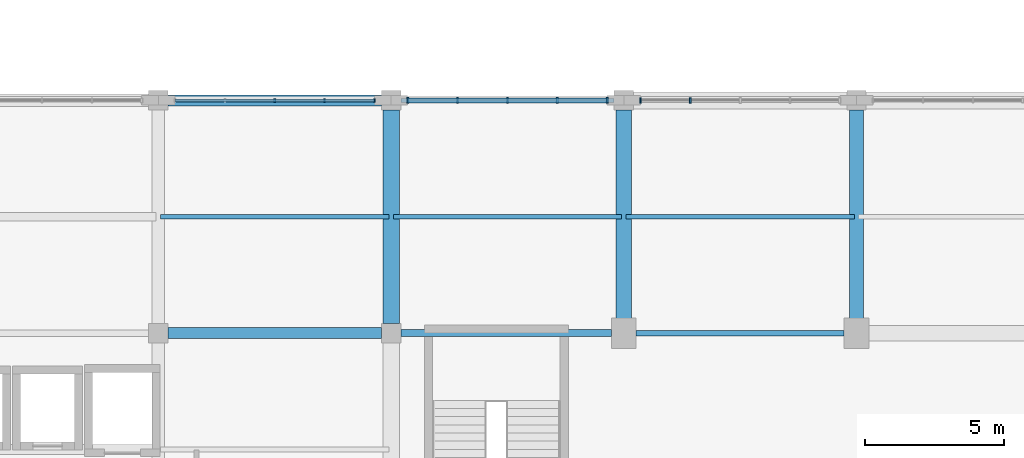
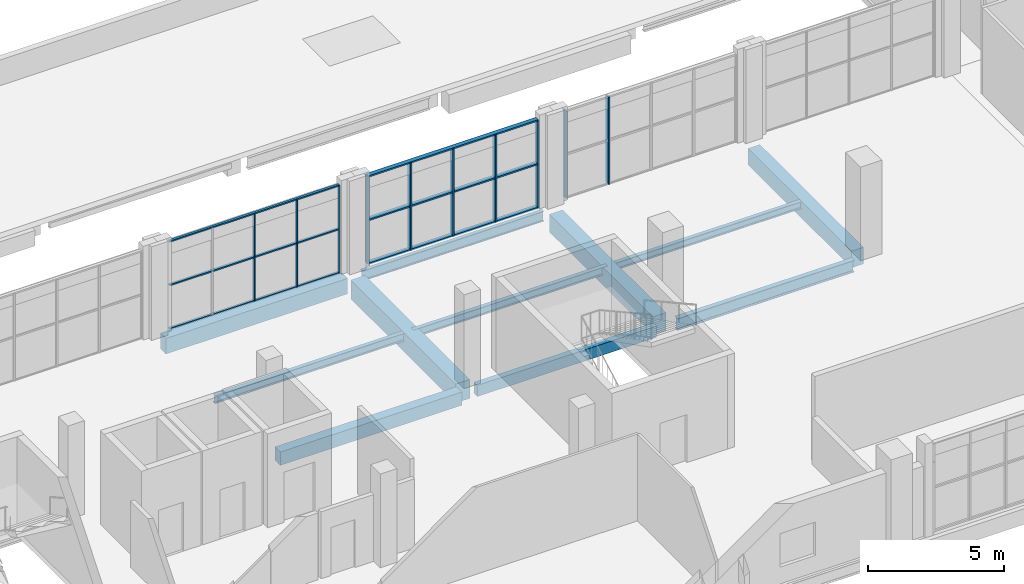
# One storey, part 24 of 64: 16 members, 11 beams, 3 elements without a shape of their own.
"""IFC4 building model written with IfcOpenShell, lengths in metres."""

from ifc_helpers import new_model, si_unit, derived_unit, direction, frame, origin, origin_2d, place, context, subcontext, project, spatial, rectangle, i_section, extrude, material, material_profile, profile_set, type_object, element, aggregate, save


model = new_model("IFC4")

# Units and contexts
model_context = context("Model", 3, precision=1e-05, world=origin(), true_north=direction((0.0, 1.0)))
body_context = subcontext(model_context, "Body", "Model", "MODEL_VIEW")
ifc_project = project(units=[si_unit("LENGTHUNIT", "METRE"), si_unit("AREAUNIT", "SQUARE_METRE"), si_unit("VOLUMEUNIT", "CUBIC_METRE"), si_unit("PLANEANGLEUNIT", "RADIAN"), si_unit("MASSUNIT", "GRAM", prefix="KILO"), derived_unit("THERMALTRANSMITTANCEUNIT", [(si_unit("POWERUNIT", "WATT"), 1), (si_unit("LENGTHUNIT", "METRE"), -2), (si_unit("THERMODYNAMICTEMPERATUREUNIT", "KELVIN"), -1)])], contexts=[model_context])

# Site, building, storey
site_placement = place(None, origin())
site = spatial("IfcSite", under=ifc_project, at=site_placement, CompositionType="ELEMENT")
building_placement = place(site_placement, origin())
building = spatial("IfcBuilding", under=site, at=building_placement, Name="Barrovel Congress Hotel", CompositionType="ELEMENT")
storey_placement = place(building_placement, frame((0.0, 0.0, 14.10009765625)))
storey = spatial("IfcBuildingStorey", under=building, at=storey_placement, Name="L03", CompositionType="ELEMENT", Elevation=14.10009765625)

# Beams
ifc_material_1 = material(Name="Concrete C40", Category="concrete")
ifc_material_profile_1 = material_profile(ifc_material_1, rectangle(XDim=0.25, YDim=0.5, at=origin_2d()), Name="RC250x500")
ifc_profile_set_1 = profile_set([ifc_material_profile_1], Name="Concrete C40")
beam_type_1 = type_object("IfcBeamType", Name="BM-RC250x500", PredefinedType="SPANDREL", material=ifc_profile_set_1)
beam_1_placement = place(storey_placement, frame((101.14990234375, 21.0, -0.489990234375), z_axis=(1.0, 0.0, 0.0), x_axis=(0.0, 1.0, 0.0)))
element("IfcBeam", 1, at=beam_1_placement, inside=storey, type_object=beam_type_1, Name="BMX:L03:21.0:100.8-109.2", PredefinedType="SPANDREL", context=body_context, shape_type="SweptSolid", body=[
    extrude(rectangle(XDim=0.25, YDim=0.5, at=origin_2d()), origin(), (0.0, 0.0, 1.0), 7.60009765625),
])
ifc_material_profile_2 = material_profile(ifc_material_1, rectangle(XDim=0.39990234375, YDim=0.60009765625, at=origin_2d()), Name="RC400x600")
ifc_profile_set_2 = profile_set([ifc_material_profile_2], Name="Concrete C40")
beam_type_2 = type_object("IfcBeamType", Name="BM-RC400x600", PredefinedType="BEAM", material=ifc_profile_set_2)
beam_2_placement = place(storey_placement, frame((92.75, 21.0, -0.5400390625), z_axis=(1.0, 0.0, 0.0), x_axis=(0.0, 1.0, 0.0)))
element("IfcBeam", 2, at=beam_2_placement, inside=storey, type_object=beam_type_2, Name="BMX:L03:21.0:92.4-100.8", PredefinedType="BEAM", context=body_context, shape_type="SweptSolid", body=[
    extrude(rectangle(XDim=0.39990234375, YDim=0.60009765625, at=origin_2d()), origin(), (0.0, 0.0, 1.0), 7.699951171875),
])
ifc_material_profile_3 = material_profile(ifc_material_1, rectangle(XDim=0.39990234375, YDim=0.699951171875, at=origin_2d()), Name="RC400x700")
ifc_profile_set_3 = profile_set([ifc_material_profile_3], Name="Concrete C40")
beam_type_3 = type_object("IfcBeamType", Name="BM-RC400x700", PredefinedType="BEAM", material=ifc_profile_set_3)
beam_3_placement = place(storey_placement, frame((92.75, 29.39990234375, -0.590087890625), z_axis=(1.0, 0.0, 0.0), x_axis=(0.0, 1.0, 0.0)))
element("IfcBeam", 3, at=beam_3_placement, inside=storey, type_object=beam_type_3, Name="BMX:L03:29.4:92.4-100.8", PredefinedType="BEAM", context=body_context, shape_type="SweptSolid", body=[
    extrude(rectangle(XDim=0.39990234375, YDim=0.699951171875, at=origin_2d()), origin(), (0.0, 0.0, 1.0), 7.699951171875),
])
ifc_material_profile_4 = material_profile(ifc_material_1, rectangle(XDim=0.5, YDim=0.75, at=origin_2d()), Name="RC500x750")
ifc_profile_set_4 = profile_set([ifc_material_profile_4], Name="Concrete C40")
beam_type_4 = type_object("IfcBeamType", Name="BM-RC500x750", PredefinedType="BEAM", material=ifc_profile_set_4)
beam_4_placement = place(storey_placement, frame((117.60009765625, 21.449951171875, -0.614990234375), z_axis=(0.0, 1.0, 0.0), x_axis=(-1.0, 0.0, 0.0)))
element("IfcBeam", 4, at=beam_4_placement, inside=storey, type_object=beam_type_4, Name="BMY:L03:117.6:21.0-29.4", PredefinedType="BEAM", context=body_context, shape_type="SweptSolid", body=[
    extrude(rectangle(XDim=0.5, YDim=0.75, at=origin_2d()), origin(), (0.0, 0.0, 1.0), 7.60009765625),
])
ifc_material_profile_5 = material_profile(ifc_material_1, rectangle(XDim=0.550048828125, YDim=0.800048828125, at=origin_2d()), Name="RC550x800")
ifc_profile_set_5 = profile_set([ifc_material_profile_5], Name="Concrete C40")
beam_type_5 = type_object("IfcBeamType", Name="BM-RC550x800", PredefinedType="BEAM", material=ifc_profile_set_5)
beam_5_placement = place(storey_placement, frame((109.199951171875, 21.449951171875, -0.64013671875), z_axis=(0.0, 1.0, 0.0), x_axis=(-1.0, 0.0, 0.0)))
element("IfcBeam", 5, at=beam_5_placement, inside=storey, type_object=beam_type_5, Name="BMY:L03:109.2:21.0-29.4", PredefinedType="BEAM", context=body_context, shape_type="SweptSolid", body=[
    extrude(rectangle(XDim=0.550048828125, YDim=0.800048828125, at=origin_2d()), origin(), (0.0, 0.0, 1.0), 7.60009765625),
])
ifc_material_profile_6 = material_profile(ifc_material_1, rectangle(XDim=0.60009765625, YDim=0.85009765625, at=origin_2d()), Name="RC600x850")
ifc_profile_set_6 = profile_set([ifc_material_profile_6], Name="Concrete C40")
beam_type_6 = type_object("IfcBeamType", Name="BM-RC600x850", PredefinedType="BEAM", material=ifc_profile_set_6)
beam_6_placement = place(storey_placement, frame((100.800048828125, 21.35009765625, -0.6650390625), z_axis=(0.0, 1.0, 0.0), x_axis=(-1.0, 0.0, 0.0)))
element("IfcBeam", 6, at=beam_6_placement, inside=storey, type_object=beam_type_6, Name="BMY:L03:100.8:21.0-29.4", PredefinedType="BEAM", context=body_context, shape_type="SweptSolid", body=[
    extrude(rectangle(XDim=0.60009765625, YDim=0.85009765625, at=origin_2d()), origin(), (0.0, 0.0, 1.0), 7.699951171875),
])

# Curtain wall, members
ifc_material_2 = material(Name="Anodised Aluminium Alloy 6063-T6", Category="aluminium")
curtain_wall_type = type_object("IfcCurtainWallType", Name="CW-ST-7200x3600", PredefinedType="USERDEFINED", material=ifc_material_2)
curtain_wall_1_placement = place(storey_placement, origin())
curtain_wall_1 = element("IfcCurtainWall", 7, at=curtain_wall_1_placement, inside=storey, type_object=curtain_wall_type, Name="CW:L03:CS:11", ObjectType="STICK CURTAIN WALL", PredefinedType="USERDEFINED")
ifc_material_profile_7 = material_profile(ifc_material_2, rectangle(XDim=0.06005859375, YDim=0.139892578125, at=origin_2d()), Name="AL-M60x140")
ifc_profile_set_7 = profile_set([ifc_material_profile_7], Name="Anodised Aluminium Alloy 6063-T6")
member_type_1 = type_object("IfcMemberType", Name="CWM-AL-M60x140", PredefinedType="MULLION", material=ifc_profile_set_7)
member_1_placement = place(storey_placement, frame((100.199951171875, 29.39990234375, 0.0), z_axis=(0.0, 0.0, 1.0), x_axis=(1.0, 0.0, 0.0)))
member_1 = element("IfcMember", 8, at=member_1_placement, type_object=member_type_1, Name="CW:L03:CS:11:M0", PredefinedType="MULLION", context=body_context, shape_type="SweptSolid", body=[
    extrude(rectangle(XDim=0.06005859375, YDim=0.139892578125, at=origin_2d()), origin(), (0.0, 0.0, 1.0), 3.919921875),
])
member_2_placement = place(storey_placement, frame((98.39990234375, 29.39990234375, 0.0), z_axis=(0.0, 0.0, 1.0), x_axis=(1.0, 0.0, 0.0)))
member_2 = element("IfcMember", 9, at=member_2_placement, type_object=member_type_1, Name="CW:L03:CS:11:M1", PredefinedType="MULLION", context=body_context, shape_type="SweptSolid", body=[
    extrude(rectangle(XDim=0.06005859375, YDim=0.139892578125, at=origin_2d()), origin(), (0.0, 0.0, 1.0), 3.919921875),
])
member_3_placement = place(storey_placement, frame((96.60009765625, 29.39990234375, 0.0), z_axis=(0.0, 0.0, 1.0), x_axis=(1.0, 0.0, 0.0)))
member_3 = element("IfcMember", 10, at=member_3_placement, type_object=member_type_1, Name="CW:L03:CS:11:M2", PredefinedType="MULLION", context=body_context, shape_type="SweptSolid", body=[
    extrude(rectangle(XDim=0.06005859375, YDim=0.139892578125, at=origin_2d()), origin(), (0.0, 0.0, 1.0), 3.919921875),
])

curtain_wall_2_placement = place(storey_placement, origin())
curtain_wall_2 = element("IfcCurtainWall", 11, at=curtain_wall_2_placement, inside=storey, type_object=curtain_wall_type, Name="CW:L03:CS:13", ObjectType="STICK CURTAIN WALL", PredefinedType="USERDEFINED")
ifc_material_profile_8 = material_profile(ifc_material_2, rectangle(XDim=0.06494140625, YDim=0.18994140625, at=origin_2d()), Name="AL-M65x190")
ifc_profile_set_8 = profile_set([ifc_material_profile_8], Name="Anodised Aluminium Alloy 6063-T6")
member_type_2 = type_object("IfcMemberType", Name="CWM-AL-M65x190", PredefinedType="MULLION", material=ifc_profile_set_8)
member_4_placement = place(storey_placement, frame((111.60009765625, 29.39990234375, 0.0), z_axis=(0.0, 0.0, 1.0), x_axis=(1.0, 0.0, 0.0)))
member_4 = element("IfcMember", 12, at=member_4_placement, type_object=member_type_2, Name="CW:L03:CS:13:M3", PredefinedType="MULLION", context=body_context, shape_type="SweptSolid", body=[
    extrude(rectangle(XDim=0.06494140625, YDim=0.18994140625, at=origin_2d()), origin(), (0.0, 0.0, 1.0), 3.919921875),
])
member_5_placement = place(storey_placement, frame((109.800048828125, 29.39990234375, 0.0), z_axis=(0.0, 0.0, 1.0), x_axis=(1.0, 0.0, 0.0)))
member_5 = element("IfcMember", 13, at=member_5_placement, type_object=member_type_2, Name="CW:L03:CS:13:M4", PredefinedType="MULLION", context=body_context, shape_type="SweptSolid", body=[
    extrude(rectangle(XDim=0.06494140625, YDim=0.18994140625, at=origin_2d()), origin(), (0.0, 0.0, 1.0), 3.919921875),
])
aggregate(curtain_wall_2, [member_4, member_5])

curtain_wall_3_placement = place(storey_placement, origin())
curtain_wall_3 = element("IfcCurtainWall", 14, at=curtain_wall_3_placement, inside=storey, type_object=curtain_wall_type, Name="CW:L03:CS:12", ObjectType="STICK CURTAIN WALL", PredefinedType="USERDEFINED")
ifc_material_profile_9 = material_profile(ifc_material_2, rectangle(XDim=0.06494140625, YDim=0.219970703125, at=origin_2d()), Name="AL-M65x220")
ifc_profile_set_9 = profile_set([ifc_material_profile_9], Name="Anodised Aluminium Alloy 6063-T6")
member_type_3 = type_object("IfcMemberType", Name="CWM-AL-M65x220", PredefinedType="MULLION", material=ifc_profile_set_9)
member_6_placement = place(storey_placement, frame((108.60009765625, 29.39990234375, 0.0), z_axis=(0.0, 0.0, 1.0), x_axis=(1.0, 0.0, 0.0)))
member_6 = element("IfcMember", 15, at=member_6_placement, type_object=member_type_3, Name="CW:L03:CS:12:M0", PredefinedType="MULLION", context=body_context, shape_type="SweptSolid", body=[
    extrude(rectangle(XDim=0.06494140625, YDim=0.219970703125, at=origin_2d()), origin(), (0.0, 0.0, 1.0), 3.919921875),
])
member_7_placement = place(storey_placement, frame((106.800048828125, 29.39990234375, 0.0), z_axis=(0.0, 0.0, 1.0), x_axis=(1.0, 0.0, 0.0)))
member_7 = element("IfcMember", 16, at=member_7_placement, type_object=member_type_3, Name="CW:L03:CS:12:M1", PredefinedType="MULLION", context=body_context, shape_type="SweptSolid", body=[
    extrude(rectangle(XDim=0.06494140625, YDim=0.219970703125, at=origin_2d()), origin(), (0.0, 0.0, 1.0), 3.919921875),
])
member_8_placement = place(storey_placement, frame((105.0, 29.39990234375, 0.0), z_axis=(0.0, 0.0, 1.0), x_axis=(1.0, 0.0, 0.0)))
member_8 = element("IfcMember", 17, at=member_8_placement, type_object=member_type_3, Name="CW:L03:CS:12:M2", PredefinedType="MULLION", context=body_context, shape_type="SweptSolid", body=[
    extrude(rectangle(XDim=0.06494140625, YDim=0.219970703125, at=origin_2d()), origin(), (0.0, 0.0, 1.0), 3.919921875),
])
member_9_placement = place(storey_placement, frame((103.199951171875, 29.39990234375, 0.0), z_axis=(0.0, 0.0, 1.0), x_axis=(1.0, 0.0, 0.0)))
member_9 = element("IfcMember", 18, at=member_9_placement, type_object=member_type_3, Name="CW:L03:CS:12:M3", PredefinedType="MULLION", context=body_context, shape_type="SweptSolid", body=[
    extrude(rectangle(XDim=0.06494140625, YDim=0.219970703125, at=origin_2d()), origin(), (0.0, 0.0, 1.0), 3.919921875),
])
member_10_placement = place(storey_placement, frame((101.39990234375, 29.39990234375, 0.0), z_axis=(0.0, 0.0, 1.0), x_axis=(1.0, 0.0, 0.0)))
member_10 = element("IfcMember", 19, at=member_10_placement, type_object=member_type_3, Name="CW:L03:CS:12:M4", PredefinedType="MULLION", context=body_context, shape_type="SweptSolid", body=[
    extrude(rectangle(XDim=0.06494140625, YDim=0.219970703125, at=origin_2d()), origin(), (0.0, 0.0, 1.0), 3.919921875),
])

# Member
ifc_material_profile_10 = material_profile(ifc_material_2, rectangle(XDim=0.10498046875, YDim=0.06005859375, at=origin_2d()), Name="AL-T60x105")
ifc_profile_set_10 = profile_set([ifc_material_profile_10], Name="Anodised Aluminium Alloy 6063-T6")
member_type_4 = type_object("IfcMemberType", Name="CWT-AL-T60x105", PredefinedType="USERDEFINED", material=ifc_profile_set_10)
member_11_placement = place(storey_placement, frame((100.199951171875, 29.39990234375, 0.0), z_axis=(-1.0, 0.0, 0.0), x_axis=(0.0, -1.0, 0.0)))
member_11 = element("IfcMember", 20, at=member_11_placement, type_object=member_type_4, Name="CW:L03:CS:11:T0", ObjectType="TRANSOM", PredefinedType="USERDEFINED", context=body_context, shape_type="SweptSolid", body=[
    extrude(rectangle(XDim=0.10498046875, YDim=0.06005859375, at=origin_2d()), origin(), (0.0, 0.0, 1.0), 7.199951171875),
])

member_12_placement = place(storey_placement, frame((100.199951171875, 29.39990234375, 1.9599609375), z_axis=(-1.0, 0.0, 0.0), x_axis=(0.0, -1.0, 0.0)))
member_12 = element("IfcMember", 21, at=member_12_placement, type_object=member_type_4, Name="CW:L03:CS:11:T1", ObjectType="TRANSOM", PredefinedType="USERDEFINED", context=body_context, shape_type="SweptSolid", body=[
    extrude(rectangle(XDim=0.10498046875, YDim=0.06005859375, at=origin_2d()), origin(), (0.0, 0.0, 1.0), 7.199951171875),
])

member_13_placement = place(storey_placement, frame((100.199951171875, 29.39990234375, 3.919921875), z_axis=(-1.0, 0.0, 0.0), x_axis=(0.0, -1.0, 0.0)))
member_13 = element("IfcMember", 22, at=member_13_placement, type_object=member_type_4, Name="CW:L03:CS:11:T2", ObjectType="TRANSOM", PredefinedType="USERDEFINED", context=body_context, shape_type="SweptSolid", body=[
    extrude(rectangle(XDim=0.10498046875, YDim=0.06005859375, at=origin_2d()), origin(), (0.0, 0.0, 1.0), 7.199951171875),
])

aggregate(curtain_wall_1, [member_1, member_2, member_3, member_11, member_12, member_13])

ifc_material_profile_11 = material_profile(ifc_material_2, rectangle(XDim=0.179931640625, YDim=0.06494140625, at=origin_2d()), Name="AL-T65x180")
ifc_profile_set_11 = profile_set([ifc_material_profile_11], Name="Anodised Aluminium Alloy 6063-T6")
member_type_5 = type_object("IfcMemberType", Name="CWT-AL-T65x180", PredefinedType="USERDEFINED", material=ifc_profile_set_11)
member_14_placement = place(storey_placement, frame((108.60009765625, 29.39990234375, 0.0), z_axis=(-1.0, 0.0, 0.0), x_axis=(0.0, -1.0, 0.0)))
member_14 = element("IfcMember", 23, at=member_14_placement, type_object=member_type_5, Name="CW:L03:CS:12:T0", ObjectType="TRANSOM", PredefinedType="USERDEFINED", context=body_context, shape_type="SweptSolid", body=[
    extrude(rectangle(XDim=0.179931640625, YDim=0.06494140625, at=origin_2d()), origin(), (0.0, 0.0, 1.0), 7.2001953125),
])

member_15_placement = place(storey_placement, frame((108.60009765625, 29.39990234375, 1.9599609375), z_axis=(-1.0, 0.0, 0.0), x_axis=(0.0, -1.0, 0.0)))
member_15 = element("IfcMember", 24, at=member_15_placement, type_object=member_type_5, Name="CW:L03:CS:12:T1", ObjectType="TRANSOM", PredefinedType="USERDEFINED", context=body_context, shape_type="SweptSolid", body=[
    extrude(rectangle(XDim=0.179931640625, YDim=0.06494140625, at=origin_2d()), origin(), (0.0, 0.0, 1.0), 7.2001953125),
])

member_16_placement = place(storey_placement, frame((108.60009765625, 29.39990234375, 3.919921875), z_axis=(-1.0, 0.0, 0.0), x_axis=(0.0, -1.0, 0.0)))
member_16 = element("IfcMember", 25, at=member_16_placement, type_object=member_type_5, Name="CW:L03:CS:12:T2", ObjectType="TRANSOM", PredefinedType="USERDEFINED", context=body_context, shape_type="SweptSolid", body=[
    extrude(rectangle(XDim=0.179931640625, YDim=0.06494140625, at=origin_2d()), origin(), (0.0, 0.0, 1.0), 7.2001953125),
])

aggregate(curtain_wall_3, [member_6, member_7, member_8, member_9, member_10, member_14, member_15, member_16])

# Beams
ifc_material_3 = material(Name="Steel ASTM A992 Grade 50", Category="steel")
ifc_material_profile_12 = material_profile(ifc_material_3, i_section(OverallWidth=0.1669921875, OverallDepth=0.31689453125, WebThickness=0.007568359375, FlangeThickness=0.01318359375, FilletRadius=0.010986328125, at=origin_2d()), Name="W310x52")
ifc_profile_set_12 = profile_set([ifc_material_profile_12], Name="Steel ASTM A992 Grade 50")
beam_type_7 = type_object("IfcBeamType", Name="SBM-W310x52", PredefinedType="JOIST", material=ifc_profile_set_12)
beam_7_placement = place(storey_placement, frame((109.280029296875, 25.199951171875, -0.398681640625), z_axis=(1.0, 0.0, 0.0), x_axis=(0.0, 1.0, 0.0)))
element("IfcBeam", 26, at=beam_7_placement, inside=storey, type_object=beam_type_7, Name="JST:L03:109.2:25.2", PredefinedType="JOIST", context=body_context, shape_type="SweptSolid", body=[
    extrude(i_section(OverallWidth=0.1669921875, OverallDepth=0.31689453125, WebThickness=0.007568359375, FlangeThickness=0.01318359375, FilletRadius=0.010986328125, at=origin_2d()), origin(), (0.0, 0.0, 1.0), 8.239990234375),
])
ifc_material_profile_13 = material_profile(ifc_material_3, i_section(OverallWidth=0.1708984375, OverallDepth=0.35205078125, WebThickness=0.0068359375, FlangeThickness=0.009765625, FilletRadius=0.011962890625, at=origin_2d()), Name="W360x44")
ifc_profile_set_13 = profile_set([ifc_material_profile_13], Name="Steel ASTM A992 Grade 50")
beam_type_8 = type_object("IfcBeamType", Name="SBM-W360x44", PredefinedType="JOIST", material=ifc_profile_set_13)
beam_8_placement = place(storey_placement, frame((100.8798828125, 25.199951171875, -0.416015625), z_axis=(1.0, 0.0, 0.0), x_axis=(0.0, 1.0, 0.0)))
element("IfcBeam", 27, at=beam_8_placement, inside=storey, type_object=beam_type_8, Name="JST:L03:100.8:25.2", PredefinedType="JOIST", context=body_context, shape_type="SweptSolid", body=[
    extrude(i_section(OverallWidth=0.1708984375, OverallDepth=0.35205078125, WebThickness=0.0068359375, FlangeThickness=0.009765625, FilletRadius=0.011962890625, at=origin_2d()), origin(), (0.0, 0.0, 1.0), 8.240234375),
])
ifc_material_profile_14 = material_profile(ifc_material_3, i_section(OverallWidth=0.172119140625, OverallDepth=0.35791015625, WebThickness=0.0078125, FlangeThickness=0.01318359375, FilletRadius=0.011962890625, at=origin_2d()), Name="W360x57")
ifc_profile_set_14 = profile_set([ifc_material_profile_14], Name="Steel ASTM A992 Grade 50")
beam_type_9 = type_object("IfcBeamType", Name="SBM-W360x57", PredefinedType="JOIST", material=ifc_profile_set_14)
beam_9_placement = place(storey_placement, frame((92.47998046875, 25.199951171875, -0.419189453125), z_axis=(1.0, 0.0, 0.0), x_axis=(0.0, 1.0, 0.0)))
element("IfcBeam", 28, at=beam_9_placement, inside=storey, type_object=beam_type_9, Name="JST:L03:92.4:25.2", PredefinedType="JOIST", context=body_context, shape_type="SweptSolid", body=[
    extrude(i_section(OverallWidth=0.172119140625, OverallDepth=0.35791015625, WebThickness=0.0078125, FlangeThickness=0.01318359375, FilletRadius=0.011962890625, at=origin_2d()), origin(), (0.0, 0.0, 1.0), 8.239990234375),
])
ifc_material_profile_15 = material_profile(ifc_material_3, i_section(OverallWidth=0.154052734375, OverallDepth=0.458984375, WebThickness=0.009033203125, FlangeThickness=0.015380859375, FilletRadius=0.012939453125, at=origin_2d()), Name="W460x68")
ifc_profile_set_15 = profile_set([ifc_material_profile_15], Name="Steel ASTM A992 Grade 50")
beam_type_10 = type_object("IfcBeamType", Name="SBM-W460x68", PredefinedType="BEAM", material=ifc_profile_set_15)
beam_10_placement = place(storey_placement, frame((101.14990234375, 29.39990234375, -0.469482421875), z_axis=(1.0, 0.0, 0.0), x_axis=(0.0, 1.0, 0.0)))
element("IfcBeam", 29, at=beam_10_placement, inside=storey, type_object=beam_type_10, Name="BMX:L03:29.4:100.8-109.2", PredefinedType="BEAM", context=body_context, shape_type="SweptSolid", body=[
    extrude(i_section(OverallWidth=0.154052734375, OverallDepth=0.458984375, WebThickness=0.009033203125, FlangeThickness=0.015380859375, FilletRadius=0.012939453125, at=origin_2d()), origin(), (0.0, 0.0, 1.0), 7.7001953125),
])
ifc_material_profile_16 = material_profile(ifc_material_3, i_section(OverallWidth=0.208984375, OverallDepth=0.529052734375, WebThickness=0.009765625, FlangeThickness=0.013671875, FilletRadius=0.013916015625, at=origin_2d()), Name="W530x74")
ifc_profile_set_16 = profile_set([ifc_material_profile_16], Name="Steel ASTM A992 Grade 50")
beam_type_11 = type_object("IfcBeamType", Name="SBM-W530x74", PredefinedType="BEAM", material=ifc_profile_set_16)
beam_11_placement = place(storey_placement, frame((109.64990234375, 21.0, -0.504638671875), z_axis=(1.0, 0.0, 0.0), x_axis=(0.0, 1.0, 0.0)))
element("IfcBeam", 30, at=beam_11_placement, inside=storey, type_object=beam_type_11, Name="BMX:L03:21.0:109.2-117.6", PredefinedType="BEAM", context=body_context, shape_type="SweptSolid", body=[
    extrude(i_section(OverallWidth=0.208984375, OverallDepth=0.529052734375, WebThickness=0.009765625, FlangeThickness=0.013671875, FilletRadius=0.013916015625, at=origin_2d()), origin(), (0.0, 0.0, 1.0), 7.5),
])

save(model, "model.ifc")
